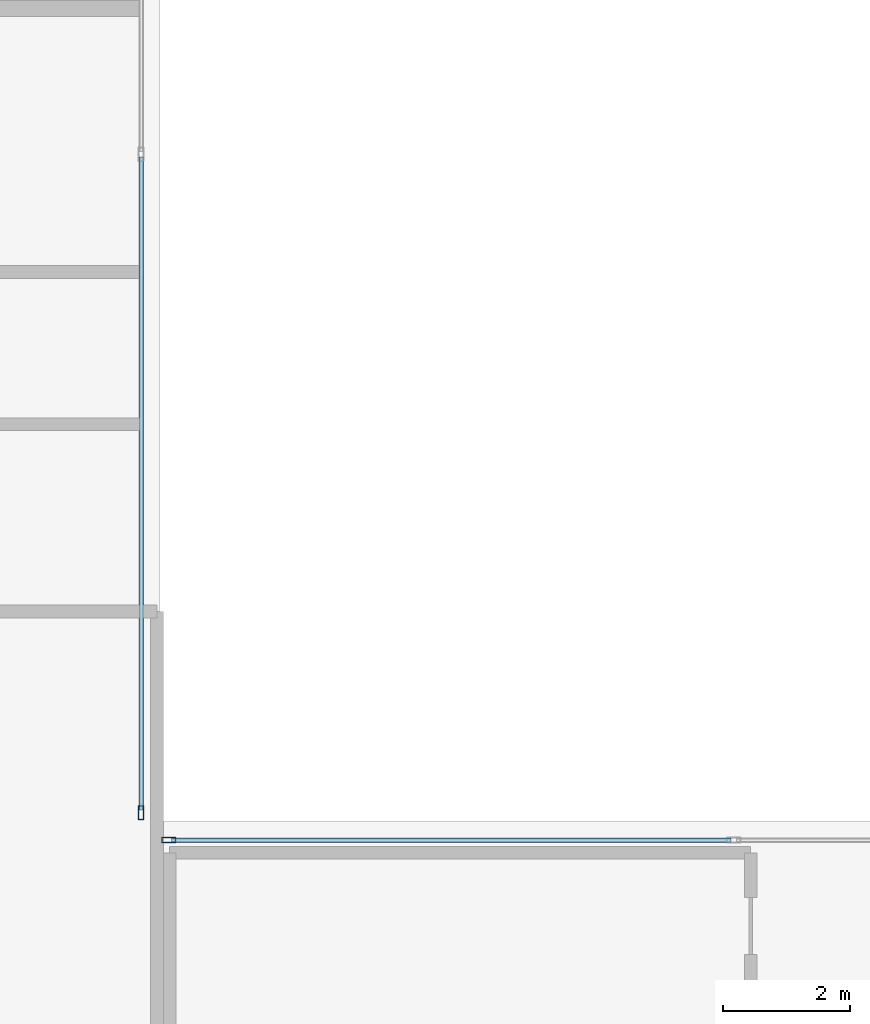
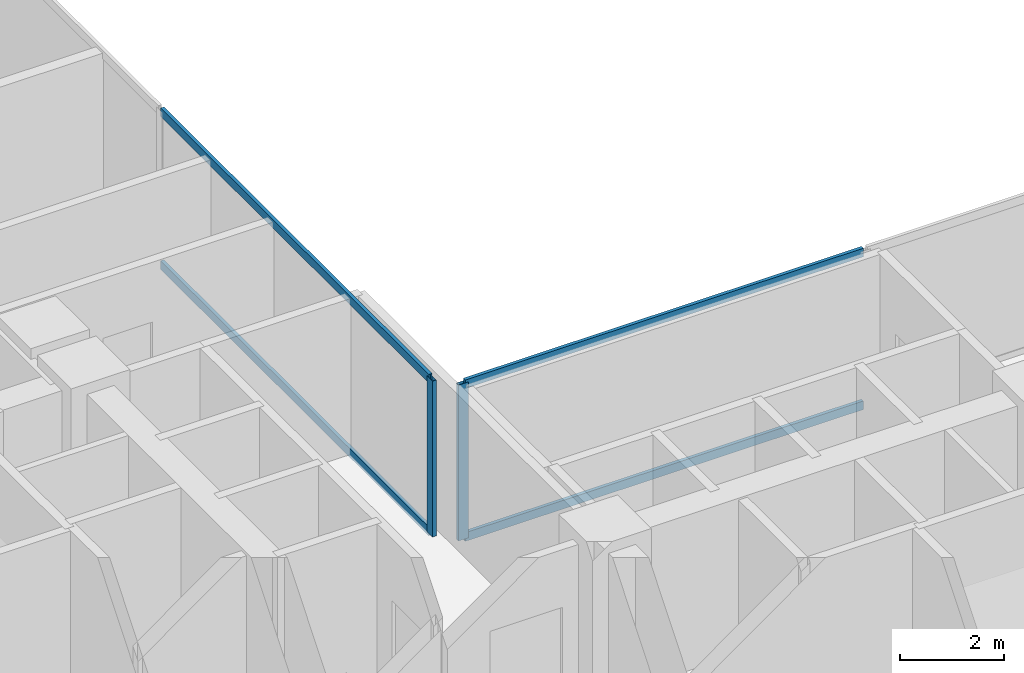
# One storey, part 7 of 25: 6 members, 2 elements without a shape of their own.
"""IFC4 building model written with IfcOpenShell, lengths in metres."""

from ifc_helpers import new_model, si_unit, direction, frame, origin, origin_2d, place, context, subcontext, project, spatial, hollow_rectangle, extrude, material, layer, layer_set, material_profile, profile_set, type_object, element, aggregate, save


model = new_model("IFC4")

# Units and contexts
model_context = context("Model", 3, precision=1e-05, world=origin(), true_north=direction((0.0, 1.0)))
body_context = subcontext(model_context, "Body", "Model", "MODEL_VIEW")
ifc_project = project(units=[si_unit("LENGTHUNIT", "METRE"), si_unit("AREAUNIT", "SQUARE_METRE"), si_unit("VOLUMEUNIT", "CUBIC_METRE"), si_unit("PLANEANGLEUNIT", "RADIAN"), si_unit("MASSUNIT", "GRAM", prefix="KILO"), si_unit("THERMODYNAMICTEMPERATUREUNIT", "KELVIN"), si_unit("POWERUNIT", "WATT")], contexts=[model_context])

# Site, building, storey
site_placement = place(None, origin())
site = spatial("IfcSite", under=ifc_project, at=site_placement, CompositionType="ELEMENT")
building_placement = place(site_placement, origin())
building = spatial("IfcBuilding", under=site, at=building_placement, Name="Svarakhadi Broadcast Tower", CompositionType="ELEMENT")
storey_placement = place(building_placement, frame((0.0, 0.0, 83.10009765625)))
storey = spatial("IfcBuildingStorey", under=building, at=storey_placement, Name="L19", CompositionType="ELEMENT", Elevation=83.10009765625)

# Curtain wall, member
ifc_material = material(Name="Anodised Bronze Aluminium AA 6063-T6", Category="aluminium")
ifc_layer = layer(ifc_material, 0.219970703125)
ifc_layer_set = layer_set([ifc_layer], Name="Anodised Bronze Aluminium AA 6063-T6")
curtain_wall_type = type_object("IfcCurtainWallType", Name="CW_Sys_02", PredefinedType="NOTDEFINED", material=ifc_layer_set)
curtain_wall_1_placement = place(storey_placement, origin())
curtain_wall_1 = element("IfcCurtainWall", 1, at=curtain_wall_1_placement, inside=storey, type_object=curtain_wall_type, Name="L19 Unitised Facade Curtain Wall 09", PredefinedType="NOTDEFINED")
ifc_material_profile_1 = material_profile(ifc_material, hollow_rectangle(XDim=0.0849609375, YDim=0.219970703125, WallThickness=0.006103515625, at=origin_2d()), Name="ALU MULLION 220x85x6")
ifc_profile_set_1 = profile_set([ifc_material_profile_1], Name="Anodised Bronze Aluminium AA 6063-T6")
member_type_1 = type_object("IfcMemberType", Name="CW_Sys_02_Mul", PredefinedType="MULLION", material=ifc_profile_set_1)
member_1_placement = place(storey_placement, frame((23.699951171875, 24.132568359375, 0.0), z_axis=(0.0, 0.0, 1.0), x_axis=(1.0, 0.0, 0.0)))
member_1 = element("IfcMember", 2, at=member_1_placement, type_object=member_type_1, Name="CW-02 mullion 3", PredefinedType="MULLION", context=body_context, shape_type="SweptSolid", body=[
    extrude(hollow_rectangle(XDim=0.0849609375, YDim=0.219970703125, WallThickness=0.006103515625, at=origin_2d()), origin(), (0.0, 0.0, 1.0), 3.64990234375),
])

curtain_wall_2_placement = place(storey_placement, origin())
curtain_wall_2 = element("IfcCurtainWall", 3, at=curtain_wall_2_placement, inside=storey, type_object=curtain_wall_type, Name="L19 Unitised Facade Curtain Wall 10", PredefinedType="NOTDEFINED")
member_2_placement = place(storey_placement, frame((24.132568359375, 23.699951171875, 0.0), z_axis=(0.0, 0.0, 1.0), x_axis=(0.0, 1.0, 0.0)))
member_2 = element("IfcMember", 4, at=member_2_placement, type_object=member_type_1, Name="CW-02 mullion 1", PredefinedType="MULLION", context=body_context, shape_type="SweptSolid", body=[
    extrude(hollow_rectangle(XDim=0.0849609375, YDim=0.219970703125, WallThickness=0.006103515625, at=origin_2d()), origin(), (0.0, 0.0, 1.0), 3.64990234375),
])

# Member
ifc_material_profile_2 = material_profile(ifc_material, hollow_rectangle(XDim=0.074951171875, YDim=0.199951171875, WallThickness=0.0048828125, at=origin_2d()), Name="ALU TRANSOM 200x75x5")
ifc_profile_set_2 = profile_set([ifc_material_profile_2], Name="Anodised Bronze Aluminium AA 6063-T6")
member_type_2 = type_object("IfcMemberType", Name="CW_Sys_02_Trn", PredefinedType="USERDEFINED", material=ifc_profile_set_2)
member_3_placement = place(storey_placement, frame((23.699951171875, 34.45751953125, 0.037353515625), z_axis=(0.0, -1.0, 0.0), x_axis=(1.0, 0.0, 0.0)))
member_3 = element("IfcMember", 5, at=member_3_placement, type_object=member_type_2, Name="CW-02 transom 2.1", ObjectType="TRANSOM", PredefinedType="USERDEFINED", context=body_context, shape_type="SweptSolid", body=[
    extrude(hollow_rectangle(XDim=0.074951171875, YDim=0.199951171875, WallThickness=0.0048828125, at=origin_2d()), origin(), (0.0, 0.0, 1.0), 10.282470703125),
])

member_4_placement = place(storey_placement, frame((23.699951171875, 34.45751953125, 3.6123046875), z_axis=(0.0, -1.0, 0.0), x_axis=(1.0, 0.0, 0.0)))
member_4 = element("IfcMember", 6, at=member_4_placement, type_object=member_type_2, Name="CW-02 transom 2.2", ObjectType="TRANSOM", PredefinedType="USERDEFINED", context=body_context, shape_type="SweptSolid", body=[
    extrude(hollow_rectangle(XDim=0.074951171875, YDim=0.199951171875, WallThickness=0.0048828125, at=origin_2d()), origin(), (0.0, 0.0, 1.0), 10.282470703125),
])

aggregate(curtain_wall_1, [member_1, member_3, member_4])

member_5_placement = place(storey_placement, frame((24.175048828125, 23.699951171875, 0.037353515625), z_axis=(1.0, 0.0, 0.0), x_axis=(0.0, 1.0, 0.0)))
member_5 = element("IfcMember", 7, at=member_5_placement, type_object=member_type_2, Name="CW-02 transom 1.1", ObjectType="TRANSOM", PredefinedType="USERDEFINED", context=body_context, shape_type="SweptSolid", body=[
    extrude(hollow_rectangle(XDim=0.074951171875, YDim=0.199951171875, WallThickness=0.0048828125, at=origin_2d()), origin(), (0.0, 0.0, 1.0), 8.8125),
])

member_6_placement = place(storey_placement, frame((24.175048828125, 23.699951171875, 3.6123046875), z_axis=(1.0, 0.0, 0.0), x_axis=(0.0, 1.0, 0.0)))
member_6 = element("IfcMember", 8, at=member_6_placement, type_object=member_type_2, Name="CW-02 transom 1.2", ObjectType="TRANSOM", PredefinedType="USERDEFINED", context=body_context, shape_type="SweptSolid", body=[
    extrude(hollow_rectangle(XDim=0.074951171875, YDim=0.199951171875, WallThickness=0.0048828125, at=origin_2d()), origin(), (0.0, 0.0, 1.0), 8.8125),
])

aggregate(curtain_wall_2, [member_2, member_5, member_6])

save(model, "model.ifc")
